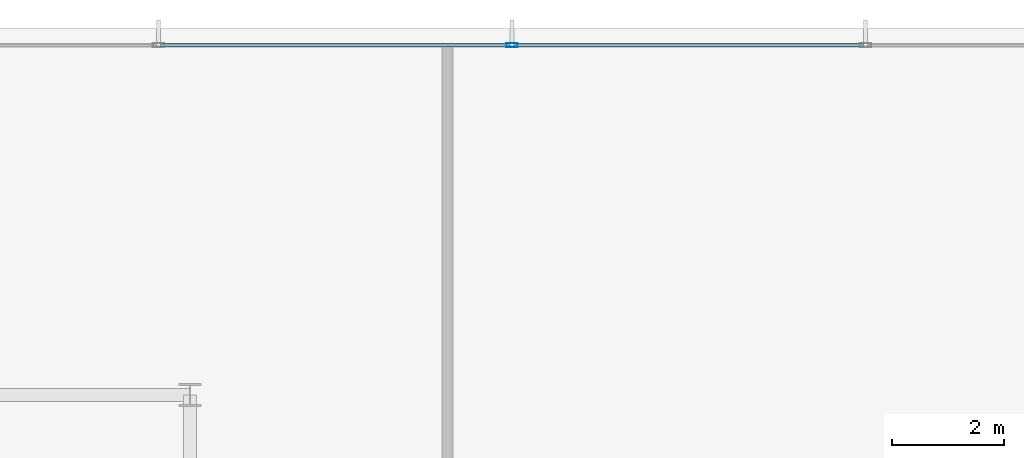
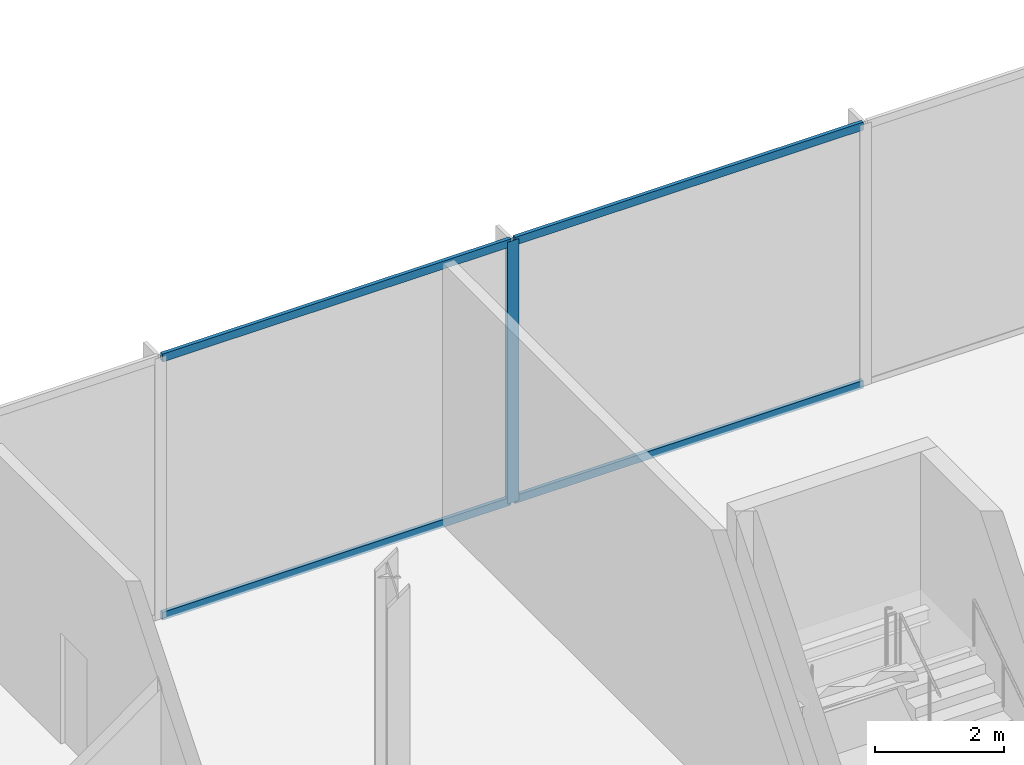
# One storey, part 31 of 43: 5 members, 1 element without a shape of its own.
"""IFC4 building model written with IfcOpenShell, lengths in metres."""

from ifc_helpers import new_model, si_unit, direction, frame, origin, origin_2d, place, context, subcontext, project, spatial, hollow_rectangle, extrude, material, layer, layer_set, material_profile, profile_set, type_object, element, aggregate, save


model = new_model("IFC4")

# Units and contexts
model_context = context("Model", 3, precision=1e-05, world=origin(), true_north=direction((0.0, 1.0)))
body_context = subcontext(model_context, "Body", "Model", "MODEL_VIEW")
ifc_project = project(units=[si_unit("LENGTHUNIT", "METRE"), si_unit("AREAUNIT", "SQUARE_METRE"), si_unit("VOLUMEUNIT", "CUBIC_METRE"), si_unit("PLANEANGLEUNIT", "RADIAN"), si_unit("MASSUNIT", "GRAM", prefix="KILO")], contexts=[model_context])

# Site, building, storey
site_placement = place(None, origin())
site = spatial("IfcSite", under=ifc_project, at=site_placement, CompositionType="ELEMENT")
building_placement = place(site_placement, origin())
building = spatial("IfcBuilding", under=site, at=building_placement, Name="Orvanel Arch Residences", CompositionType="ELEMENT")
storey_placement = place(building_placement, frame((0.0, 0.0, 18.39990234375)))
storey = spatial("IfcBuildingStorey", under=building, at=storey_placement, Name="L04", CompositionType="ELEMENT", Elevation=18.39990234375)

# Curtain wall, members
ifc_material = material(Name="Bronze-anodised aluminium AA6063-T6", Category="aluminium")
ifc_layer = layer(ifc_material, 0.199951171875)
ifc_layer_set = layer_set([ifc_layer], Name="Bronze-anodised aluminium AA6063-T6")
curtain_wall_type = type_object("IfcCurtainWallType", Name="CW1-POD-SYS", PredefinedType="NOTDEFINED", material=ifc_layer_set)
curtain_wall_placement = place(storey_placement, origin())
curtain_wall = element("IfcCurtainWall", 1, at=curtain_wall_placement, inside=storey, type_object=curtain_wall_type, Name="L04 CW1-POD-SYS Unitised Curtain Wall", PredefinedType="NOTDEFINED")
ifc_material_profile_1 = material_profile(ifc_material, hollow_rectangle(XDim=0.074951171875, YDim=0.199951171875, WallThickness=0.0048828125, at=origin_2d()), Name="ALU200x75x5")
ifc_profile_set_1 = profile_set([ifc_material_profile_1], Name="Bronze-anodised aluminium AA6063-T6")
member_type_1 = type_object("IfcMemberType", Name="MUL-200x75", PredefinedType="MULLION", material=ifc_profile_set_1)
member_1_placement = place(storey_placement, frame((51.9541015625, 54.25, 0.0), z_axis=(0.0, 0.0, 1.0), x_axis=(0.0, -1.0, 0.0)))
member_1 = element("IfcMember", 2, at=member_1_placement, type_object=member_type_1, Name="CW-S1 mullion 3", PredefinedType="MULLION", context=body_context, shape_type="SweptSolid", body=[
    extrude(hollow_rectangle(XDim=0.074951171875, YDim=0.199951171875, WallThickness=0.0048828125, at=origin_2d()), origin(), (0.0, 0.0, 1.0), 4.960205078125),
])
ifc_material_profile_2 = material_profile(ifc_material, hollow_rectangle(XDim=0.06494140625, YDim=0.14990234375, WallThickness=0.00390625, at=origin_2d()), Name="ALU150x65x4")
ifc_profile_set_2 = profile_set([ifc_material_profile_2], Name="Bronze-anodised aluminium AA6063-T6")
member_type_2 = type_object("IfcMemberType", Name="TRN-150x65", PredefinedType="USERDEFINED", material=ifc_profile_set_2)
member_2_placement = place(storey_placement, frame((58.234619140625, 54.25, 0.03271484375), z_axis=(-1.0, 0.0, 0.0), x_axis=(0.0, -1.0, 0.0)))
member_2 = element("IfcMember", 3, at=member_2_placement, type_object=member_type_2, Name="CW-S1 transom 2.1", ObjectType="TRANSOM", PredefinedType="USERDEFINED", context=body_context, shape_type="SweptSolid", body=[
    extrude(hollow_rectangle(XDim=0.06494140625, YDim=0.14990234375, WallThickness=0.00390625, at=origin_2d()), origin(), (0.0, 0.0, 1.0), 6.2431640625),
])
member_3_placement = place(storey_placement, frame((58.234619140625, 54.25, 4.927490234375), z_axis=(-1.0, 0.0, 0.0), x_axis=(0.0, -1.0, 0.0)))
member_3 = element("IfcMember", 4, at=member_3_placement, type_object=member_type_2, Name="CW-S1 transom 2.2", ObjectType="TRANSOM", PredefinedType="USERDEFINED", context=body_context, shape_type="SweptSolid", body=[
    extrude(hollow_rectangle(XDim=0.06494140625, YDim=0.14990234375, WallThickness=0.00390625, at=origin_2d()), origin(), (0.0, 0.0, 1.0), 6.2431640625),
])
member_4_placement = place(storey_placement, frame((51.91650390625, 54.25, 0.03271484375), z_axis=(-1.0, 0.0, 0.0), x_axis=(0.0, -1.0, 0.0)))
member_4 = element("IfcMember", 5, at=member_4_placement, type_object=member_type_2, Name="CW-S1 transom 3.1", ObjectType="TRANSOM", PredefinedType="USERDEFINED", context=body_context, shape_type="SweptSolid", body=[
    extrude(hollow_rectangle(XDim=0.06494140625, YDim=0.14990234375, WallThickness=0.00390625, at=origin_2d()), origin(), (0.0, 0.0, 1.0), 6.242919921875),
])
member_5_placement = place(storey_placement, frame((51.91650390625, 54.25, 4.927490234375), z_axis=(-1.0, 0.0, 0.0), x_axis=(0.0, -1.0, 0.0)))
member_5 = element("IfcMember", 6, at=member_5_placement, type_object=member_type_2, Name="CW-S1 transom 3.2", ObjectType="TRANSOM", PredefinedType="USERDEFINED", context=body_context, shape_type="SweptSolid", body=[
    extrude(hollow_rectangle(XDim=0.06494140625, YDim=0.14990234375, WallThickness=0.00390625, at=origin_2d()), origin(), (0.0, 0.0, 1.0), 6.242919921875),
])
aggregate(curtain_wall, [member_1, member_2, member_3, member_4, member_5])

save(model, "model.ifc")
